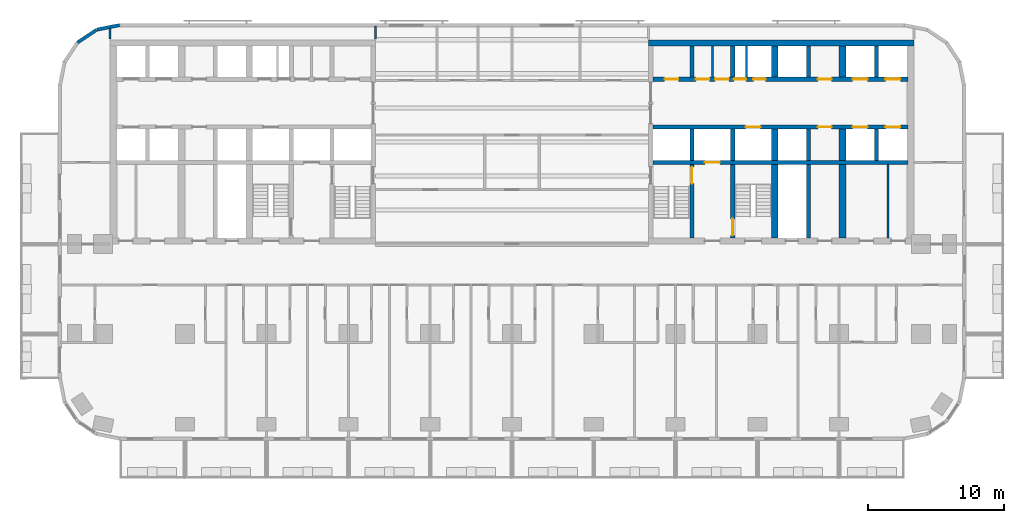
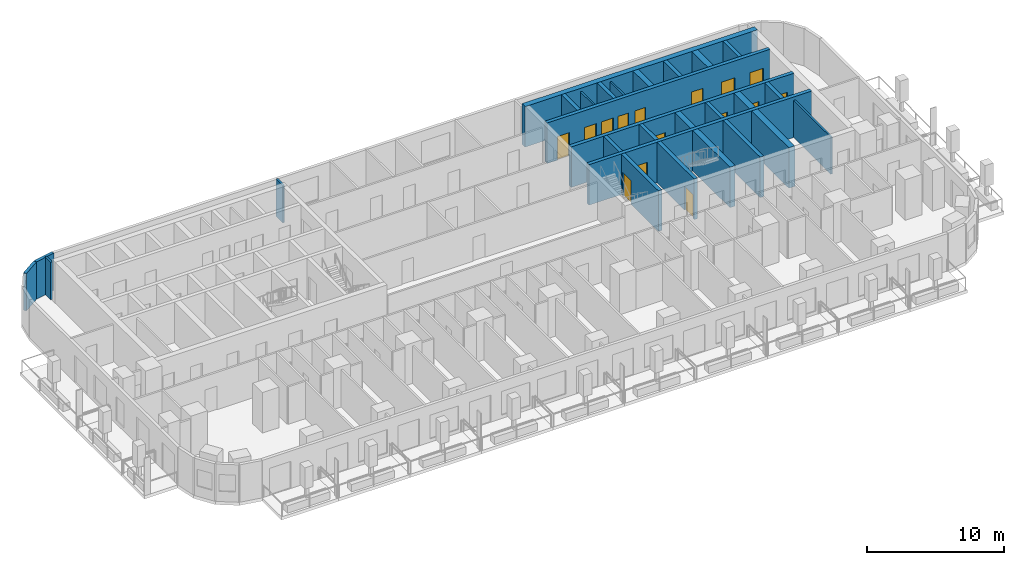
# One storey, part 7 of 14: 28 walls, 15 doors, 15 openings.
"""IFC4 building model written with IfcOpenShell, lengths in metres."""

from ifc_helpers import new_model, si_unit, direction, frame, frame_2d, origin, place, context, subcontext, project, spatial, rectangle, extrude, material, layer, layer_set, type_object, element, fill, save


model = new_model("IFC4")

# Units and contexts
model_context = context("Model", 3, precision=1e-05, world=origin(), true_north=direction((0.0, 1.0)))
body_context = subcontext(model_context, "Body", "Model", "MODEL_VIEW")
ifc_project = project(units=[si_unit("LENGTHUNIT", "METRE"), si_unit("AREAUNIT", "SQUARE_METRE"), si_unit("VOLUMEUNIT", "CUBIC_METRE"), si_unit("PLANEANGLEUNIT", "RADIAN"), si_unit("MASSUNIT", "GRAM", prefix="KILO")], contexts=[model_context])

# Site, building, storey
site_placement = place(None, origin())
site = spatial("IfcSite", under=ifc_project, at=site_placement, CompositionType="ELEMENT")
building_placement = place(site_placement, origin())
building = spatial("IfcBuilding", under=site, at=building_placement, Name="Torana Hotel and Residences", CompositionType="ELEMENT")
storey_placement = place(building_placement, frame((0.0, 0.0, 34.800048828125)))
storey = spatial("IfcBuildingStorey", under=building, at=storey_placement, Name="L07", CompositionType="ELEMENT", Elevation=34.800048828125)

# Wall, openings, doors
ifc_material_1 = material(Name="Concrete C80/95", Category="concrete")
ifc_layer_1 = layer(ifc_material_1, 0.300048828125)
ifc_layer_set_1 = layer_set([ifc_layer_1], Name="CORE WALL 300 C80/95")
wall_type_1 = type_object("IfcWallType", Name="CORE WALL 300 C80/95", PredefinedType="SHEAR", material=ifc_layer_set_1)
wall_1_placement = place(storey_placement, frame((10.35009765625, -2.89990234375, 0.0), z_axis=(0.0, 0.0, 1.0), x_axis=(1.0, 0.0, 0.0)))
wall_1 = element("IfcWall", 1, at=wall_1_placement, inside=storey, type_object=wall_type_1, Name="Core wall E row-N", PredefinedType="SHEAR", context=body_context, shape_type="SweptSolid", body=[
    extrude(rectangle(XDim=18.699951171875, YDim=0.300048828125, at=frame_2d((9.35009765625, 0.0))), origin(), (0.0, 0.0, 1.0), 3.599853515625),
])
opening_1_placement = place(wall_1_placement, frame((14.64990234375, 0.0, 0.0)))
opening_1 = element("IfcOpeningElement", 2, at=opening_1_placement, cuts=wall_1, Name="Opening LD", PredefinedType="OPENING", context=body_context, shape_type="SweptSolid", body=[
    extrude(rectangle(XDim=1.10009765625, YDim=2.10009765625, at=frame_2d((0.550048828125, 1.050048828125))), frame((0.0, 0.159912109375, 0.0), z_axis=(0.0, -1.0, 0.0), x_axis=(1.0, 0.0, 0.0)), (0.0, 0.0, 1.0), 0.320068359375),
])
opening_2_placement = place(wall_1_placement, frame((17.050048828125, 0.0, 0.0)))
opening_2 = element("IfcOpeningElement", 3, at=opening_2_placement, cuts=wall_1, Name="Opening LD", PredefinedType="OPENING", context=body_context, shape_type="SweptSolid", body=[
    extrude(rectangle(XDim=1.10009765625, YDim=2.10009765625, at=frame_2d((0.550048828125, 1.050048828125))), frame((0.0, 0.159912109375, 0.0), z_axis=(0.0, -1.0, 0.0), x_axis=(1.0, 0.0, 0.0)), (0.0, 0.0, 1.0), 0.320068359375),
])
opening_3_placement = place(wall_1_placement, frame((5.9375, 0.0, 0.0)))
opening_3 = element("IfcOpeningElement", 4, at=opening_3_placement, cuts=wall_1, Name="Opening L07-28", PredefinedType="OPENING", context=body_context, shape_type="SweptSolid", body=[
    extrude(rectangle(XDim=0.89990234375, YDim=2.10009765625, at=frame_2d((0.449951171875, 1.050048828125))), frame((0.0, 0.159912109375, 0.0), z_axis=(0.0, -1.0, 0.0), x_axis=(1.0, 0.0, 0.0)), (0.0, 0.0, 1.0), 0.320068359375),
])
opening_4_placement = place(wall_1_placement, frame((7.362548828125, 0.0, 0.0)))
opening_4 = element("IfcOpeningElement", 5, at=opening_4_placement, cuts=wall_1, Name="Opening L07-29", PredefinedType="OPENING", context=body_context, shape_type="SweptSolid", body=[
    extrude(rectangle(XDim=0.89990234375, YDim=2.10009765625, at=frame_2d((0.449951171875, 1.050048828125))), frame((0.0, 0.159912109375, 0.0), z_axis=(0.0, -1.0, 0.0), x_axis=(1.0, 0.0, 0.0)), (0.0, 0.0, 1.0), 0.320068359375),
])
opening_5_placement = place(wall_1_placement, frame((0.85009765625, 0.0, 0.0)))
opening_5 = element("IfcOpeningElement", 6, at=opening_5_placement, cuts=wall_1, Name="Opening L07-30", PredefinedType="OPENING", context=body_context, shape_type="SweptSolid", body=[
    extrude(rectangle(XDim=1.0, YDim=2.10009765625, at=frame_2d((0.5, 1.050048828125))), frame((0.0, 0.159912109375, 0.0), z_axis=(0.0, -1.0, 0.0), x_axis=(1.0, 0.0, 0.0)), (0.0, 0.0, 1.0), 0.320068359375),
])
opening_6_placement = place(wall_1_placement, frame((3.137451171875, 0.0, 0.0)))
opening_6 = element("IfcOpeningElement", 7, at=opening_6_placement, cuts=wall_1, Name="Opening L07-31", PredefinedType="OPENING", context=body_context, shape_type="SweptSolid", body=[
    extrude(rectangle(XDim=1.0, YDim=2.10009765625, at=frame_2d((0.5, 1.050048828125))), frame((0.0, 0.159912109375, 0.0), z_axis=(0.0, -1.0, 0.0), x_axis=(1.0, 0.0, 0.0)), (0.0, 0.0, 1.0), 0.320068359375),
])
opening_7_placement = place(wall_1_placement, frame((4.5625, 0.0, 0.0)))
opening_7 = element("IfcOpeningElement", 8, at=opening_7_placement, cuts=wall_1, Name="Opening L07-32", PredefinedType="OPENING", context=body_context, shape_type="SweptSolid", body=[
    extrude(rectangle(XDim=1.0, YDim=2.10009765625, at=frame_2d((0.5, 1.050048828125))), frame((0.0, 0.159912109375, 0.0), z_axis=(0.0, -1.0, 0.0), x_axis=(1.0, 0.0, 0.0)), (0.0, 0.0, 1.0), 0.320068359375),
])
opening_8_placement = place(wall_1_placement, frame((12.10009765625, 0.0, 0.0)))
opening_8 = element("IfcOpeningElement", 9, at=opening_8_placement, cuts=wall_1, Name="Opening L07-33", PredefinedType="OPENING", context=body_context, shape_type="SweptSolid", body=[
    extrude(rectangle(XDim=1.0, YDim=2.10009765625, at=frame_2d((0.5, 1.050048828125))), frame((0.0, 0.159912109375, 0.0), z_axis=(0.0, -1.0, 0.0), x_axis=(1.0, 0.0, 0.0)), (0.0, 0.0, 1.0), 0.320068359375),
])
ifc_material_2 = material(Name="Steel S235", Category="steel")
door_type_1 = type_object("IfcDoorType", Name="CORE ROOM FIRE DOOR D14 1000x2100", OperationType="SINGLE_SWING_LEFT", PredefinedType="DOOR", material=ifc_material_2)
door_1_placement = place(opening_5_placement, origin())
door_1 = element("IfcDoor", 10, at=door_1_placement, inside=storey, type_object=door_type_1, Name="N0 door L07", OperationType="SINGLE_SWING_RIGHT", OverallHeight=2.10009765625, OverallWidth=1.0, PredefinedType="DOOR", context=body_context, shape_type="SweptSolid", body=[
    extrude(rectangle(XDim=1.0, YDim=2.10009765625, at=frame_2d((0.5, 1.050048828125))), frame((0.0, 0.02490234375, 0.0), z_axis=(0.0, -1.0, 0.0), x_axis=(1.0, 0.0, 0.0)), (0.0, 0.0, 1.0), 0.050048828125),
])
fill(opening_5, door_1)
door_2_placement = place(opening_6_placement, origin())
door_2 = element("IfcDoor", 11, at=door_2_placement, inside=storey, type_object=door_type_1, Name="N1A door L07", OperationType="SINGLE_SWING_RIGHT", OverallHeight=2.10009765625, OverallWidth=1.0, PredefinedType="DOOR", context=body_context, shape_type="SweptSolid", body=[
    extrude(rectangle(XDim=1.0, YDim=2.10009765625, at=frame_2d((0.5, 1.050048828125))), frame((0.0, 0.02490234375, 0.0), z_axis=(0.0, -1.0, 0.0), x_axis=(1.0, 0.0, 0.0)), (0.0, 0.0, 1.0), 0.050048828125),
])
fill(opening_6, door_2)
door_3_placement = place(opening_7_placement, origin())
door_3 = element("IfcDoor", 12, at=door_3_placement, inside=storey, type_object=door_type_1, Name="N1B door L07", OperationType="SINGLE_SWING_RIGHT", OverallHeight=2.10009765625, OverallWidth=1.0, PredefinedType="DOOR", context=body_context, shape_type="SweptSolid", body=[
    extrude(rectangle(XDim=1.0, YDim=2.10009765625, at=frame_2d((0.5, 1.050048828125))), frame((0.0, 0.02490234375, 0.0), z_axis=(0.0, -1.0, 0.0), x_axis=(1.0, 0.0, 0.0)), (0.0, 0.0, 1.0), 0.050048828125),
])
fill(opening_7, door_3)
door_4_placement = place(opening_8_placement, origin())
door_4 = element("IfcDoor", 13, at=door_4_placement, inside=storey, type_object=door_type_1, Name="Free-M3 door L07", OperationType="SINGLE_SWING_RIGHT", OverallHeight=2.10009765625, OverallWidth=1.0, PredefinedType="DOOR", context=body_context, shape_type="SweptSolid", body=[
    extrude(rectangle(XDim=1.0, YDim=2.10009765625, at=frame_2d((0.5, 1.050048828125))), frame((0.0, 0.02490234375, 0.0), z_axis=(0.0, -1.0, 0.0), x_axis=(1.0, 0.0, 0.0)), (0.0, 0.0, 1.0), 0.050048828125),
])
fill(opening_8, door_4)
ifc_material_3 = material(Name="Stainless steel 316", Category="steel")
door_type_2 = type_object("IfcDoorType", Name="LIFT LANDING DOOR LD 1100x2100", OperationType="DOUBLE_DOOR_SLIDING", PredefinedType="USERDEFINED", material=ifc_material_3)
door_5_placement = place(opening_1_placement, origin())
door_5 = element("IfcDoor", 14, at=door_5_placement, inside=storey, type_object=door_type_2, Name="Lift landing door L5 L07", ObjectType="LIFT LANDING DOOR", OperationType="DOUBLE_DOOR_SLIDING", OverallHeight=2.10009765625, OverallWidth=1.10009765625, PredefinedType="USERDEFINED", context=body_context, shape_type="SweptSolid", body=[
    extrude(rectangle(XDim=1.10009765625, YDim=2.10009765625, at=frame_2d((0.550048828125, 1.050048828125))), frame((0.0, 0.02490234375, 0.0), z_axis=(0.0, -1.0, 0.0), x_axis=(1.0, 0.0, 0.0)), (0.0, 0.0, 1.0), 0.050048828125),
])
fill(opening_1, door_5)
door_6_placement = place(opening_2_placement, origin())
door_6 = element("IfcDoor", 15, at=door_6_placement, inside=storey, type_object=door_type_2, Name="Lift landing door L6 L07", ObjectType="LIFT LANDING DOOR", OperationType="DOUBLE_DOOR_SLIDING", OverallHeight=2.10009765625, OverallWidth=1.10009765625, PredefinedType="USERDEFINED", context=body_context, shape_type="SweptSolid", body=[
    extrude(rectangle(XDim=1.10009765625, YDim=2.10009765625, at=frame_2d((0.550048828125, 1.050048828125))), frame((0.0, 0.02490234375, 0.0), z_axis=(0.0, -1.0, 0.0), x_axis=(1.0, 0.0, 0.0)), (0.0, 0.0, 1.0), 0.050048828125),
])
fill(opening_2, door_6)
ifc_material_4 = material(Name="Steel S235", Category="steel")
door_type_3 = type_object("IfcDoorType", Name="RISER ACCESS DOOR D5 900x2100", OperationType="SINGLE_SWING_LEFT", PredefinedType="DOOR", material=ifc_material_4)
door_7_placement = place(opening_3_placement, origin())
door_7 = element("IfcDoor", 16, at=door_7_placement, inside=storey, type_object=door_type_3, Name="N2A door L07", OperationType="SINGLE_SWING_RIGHT", OverallHeight=2.10009765625, OverallWidth=0.89990234375, PredefinedType="DOOR", context=body_context, shape_type="SweptSolid", body=[
    extrude(rectangle(XDim=0.89990234375, YDim=2.10009765625, at=frame_2d((0.449951171875, 1.050048828125))), frame((0.0, 0.02490234375, 0.0), z_axis=(0.0, -1.0, 0.0), x_axis=(1.0, 0.0, 0.0)), (0.0, 0.0, 1.0), 0.050048828125),
])
fill(opening_3, door_7)
door_8_placement = place(opening_4_placement, origin())
door_8 = element("IfcDoor", 17, at=door_8_placement, inside=storey, type_object=door_type_3, Name="N2B door L07", OperationType="SINGLE_SWING_RIGHT", OverallHeight=2.10009765625, OverallWidth=0.89990234375, PredefinedType="DOOR", context=body_context, shape_type="SweptSolid", body=[
    extrude(rectangle(XDim=0.89990234375, YDim=2.10009765625, at=frame_2d((0.449951171875, 1.050048828125))), frame((0.0, 0.02490234375, 0.0), z_axis=(0.0, -1.0, 0.0), x_axis=(1.0, 0.0, 0.0)), (0.0, 0.0, 1.0), 0.050048828125),
])
fill(opening_4, door_8)

wall_2_placement = place(storey_placement, frame((10.35009765625, -6.39990234375, 0.0), z_axis=(0.0, 0.0, 1.0), x_axis=(1.0, 0.0, 0.0)))
wall_2 = element("IfcWall", 18, at=wall_2_placement, inside=storey, type_object=wall_type_1, Name="Core wall E row-S", PredefinedType="SHEAR", context=body_context, shape_type="SweptSolid", body=[
    extrude(rectangle(XDim=18.699951171875, YDim=0.300048828125, at=frame_2d((9.35009765625, 0.0))), origin(), (0.0, 0.0, 1.0), 3.599853515625),
])
opening_9_placement = place(wall_2_placement, frame((14.64990234375, 0.0, 0.0)))
opening_9 = element("IfcOpeningElement", 19, at=opening_9_placement, cuts=wall_2, Name="Opening LD", PredefinedType="OPENING", context=body_context, shape_type="SweptSolid", body=[
    extrude(rectangle(XDim=1.10009765625, YDim=2.10009765625, at=frame_2d((0.550048828125, 1.050048828125))), frame((0.0, 0.159912109375, 0.0), z_axis=(0.0, -1.0, 0.0), x_axis=(1.0, 0.0, 0.0)), (0.0, 0.0, 1.0), 0.320068359375),
])
opening_10_placement = place(wall_2_placement, frame((17.050048828125, 0.0, 0.0)))
opening_10 = element("IfcOpeningElement", 20, at=opening_10_placement, cuts=wall_2, Name="Opening LD", PredefinedType="OPENING", context=body_context, shape_type="SweptSolid", body=[
    extrude(rectangle(XDim=1.10009765625, YDim=2.10009765625, at=frame_2d((0.550048828125, 1.050048828125))), frame((0.0, 0.159912109375, 0.0), z_axis=(0.0, -1.0, 0.0), x_axis=(1.0, 0.0, 0.0)), (0.0, 0.0, 1.0), 0.320068359375),
])
opening_11_placement = place(wall_2_placement, frame((6.800048828125, 0.0, 0.0)))
opening_11 = element("IfcOpeningElement", 21, at=opening_11_placement, cuts=wall_2, Name="Opening LD", PredefinedType="OPENING", context=body_context, shape_type="SweptSolid", body=[
    extrude(rectangle(XDim=1.10009765625, YDim=2.10009765625, at=frame_2d((0.550048828125, 1.050048828125))), frame((0.0, 0.159912109375, 0.0), z_axis=(0.0, -1.0, 0.0), x_axis=(1.0, 0.0, 0.0)), (0.0, 0.0, 1.0), 0.320068359375),
])
opening_12_placement = place(wall_2_placement, frame((12.10009765625, 0.0, 0.0)))
opening_12 = element("IfcOpeningElement", 22, at=opening_12_placement, cuts=wall_2, Name="Opening L07-34", PredefinedType="OPENING", context=body_context, shape_type="SweptSolid", body=[
    extrude(rectangle(XDim=1.0, YDim=2.10009765625, at=frame_2d((0.5, 1.050048828125))), frame((0.0, 0.159912109375, 0.0), z_axis=(0.0, -1.0, 0.0), x_axis=(1.0, 0.0, 0.0)), (0.0, 0.0, 1.0), 0.320068359375),
])
door_9_placement = place(opening_12_placement, frame((0.5, 0.0, 0.0), z_axis=(0.0, 0.0, 1.0), x_axis=(-1.0, 0.0, 0.0)))
door_9 = element("IfcDoor", 23, at=door_9_placement, inside=storey, type_object=door_type_1, Name="Free-M4 door L07", OperationType="SINGLE_SWING_LEFT", OverallHeight=2.10009765625, OverallWidth=1.0, PredefinedType="DOOR", context=body_context, shape_type="SweptSolid", body=[
    extrude(rectangle(XDim=1.0, YDim=2.10009765625, at=frame_2d((0.0, 1.050048828125))), frame((0.0, -0.02490234375, 0.0), z_axis=(0.0, 1.0, 0.0), x_axis=(-1.0, 0.0, 0.0)), (0.0, 0.0, 1.0), 0.050048828125),
])
fill(opening_12, door_9)
door_10_placement = place(opening_9_placement, origin())
door_10 = element("IfcDoor", 24, at=door_10_placement, inside=storey, type_object=door_type_2, Name="Lift landing door L7 L07", ObjectType="LIFT LANDING DOOR", OperationType="DOUBLE_DOOR_SLIDING", OverallHeight=2.10009765625, OverallWidth=1.10009765625, PredefinedType="USERDEFINED", context=body_context, shape_type="SweptSolid", body=[
    extrude(rectangle(XDim=1.10009765625, YDim=2.10009765625, at=frame_2d((0.550048828125, 1.050048828125))), frame((0.0, 0.02490234375, 0.0), z_axis=(0.0, -1.0, 0.0), x_axis=(1.0, 0.0, 0.0)), (0.0, 0.0, 1.0), 0.050048828125),
])
fill(opening_9, door_10)
door_11_placement = place(opening_10_placement, origin())
door_11 = element("IfcDoor", 25, at=door_11_placement, inside=storey, type_object=door_type_2, Name="Lift landing door L8 L07", ObjectType="LIFT LANDING DOOR", OperationType="DOUBLE_DOOR_SLIDING", OverallHeight=2.10009765625, OverallWidth=1.10009765625, PredefinedType="USERDEFINED", context=body_context, shape_type="SweptSolid", body=[
    extrude(rectangle(XDim=1.10009765625, YDim=2.10009765625, at=frame_2d((0.550048828125, 1.050048828125))), frame((0.0, 0.02490234375, 0.0), z_axis=(0.0, -1.0, 0.0), x_axis=(1.0, 0.0, 0.0)), (0.0, 0.0, 1.0), 0.050048828125),
])
fill(opening_10, door_11)
door_12_placement = place(opening_11_placement, origin())
door_12 = element("IfcDoor", 26, at=door_12_placement, inside=storey, type_object=door_type_2, Name="Lift landing door SV2 L07", ObjectType="LIFT LANDING DOOR", OperationType="DOUBLE_DOOR_SLIDING", OverallHeight=2.10009765625, OverallWidth=1.10009765625, PredefinedType="USERDEFINED", context=body_context, shape_type="SweptSolid", body=[
    extrude(rectangle(XDim=1.10009765625, YDim=2.10009765625, at=frame_2d((0.550048828125, 1.050048828125))), frame((0.0, 0.02490234375, 0.0), z_axis=(0.0, -1.0, 0.0), x_axis=(1.0, 0.0, 0.0)), (0.0, 0.0, 1.0), 0.050048828125),
])
fill(opening_11, door_12)

# Wall, opening, door
wall_3_placement = place(storey_placement, frame((10.35009765625, -9.0, 0.0), z_axis=(0.0, 0.0, 1.0), x_axis=(1.0, 0.0, 0.0)))
wall_3 = element("IfcWall", 27, at=wall_3_placement, inside=storey, type_object=wall_type_1, Name="Core wall E band", PredefinedType="SHEAR", context=body_context, shape_type="SweptSolid", body=[
    extrude(rectangle(XDim=18.699951171875, YDim=0.300048828125, at=frame_2d((9.35009765625, 0.0))), origin(), (0.0, 0.0, 1.0), 3.599853515625),
])
opening_13_placement = place(wall_3_placement, frame((3.800048828125, 0.0, 0.0)))
opening_13 = element("IfcOpeningElement", 28, at=opening_13_placement, cuts=wall_3, Name="Opening LD", PredefinedType="OPENING", context=body_context, shape_type="SweptSolid", body=[
    extrude(rectangle(XDim=1.10009765625, YDim=2.10009765625, at=frame_2d((0.550048828125, 1.050048828125))), frame((0.0, 0.159912109375, 0.0), z_axis=(0.0, -1.0, 0.0), x_axis=(1.0, 0.0, 0.0)), (0.0, 0.0, 1.0), 0.320068359375),
])
door_13_placement = place(opening_13_placement, origin())
door_13 = element("IfcDoor", 29, at=door_13_placement, inside=storey, type_object=door_type_2, Name="Lift landing door FF2 L07", ObjectType="LIFT LANDING DOOR", OperationType="DOUBLE_DOOR_SLIDING", OverallHeight=2.10009765625, OverallWidth=1.10009765625, PredefinedType="USERDEFINED", context=body_context, shape_type="SweptSolid", body=[
    extrude(rectangle(XDim=1.10009765625, YDim=2.10009765625, at=frame_2d((0.550048828125, 1.050048828125))), frame((0.0, 0.02490234375, 0.0), z_axis=(0.0, -1.0, 0.0), x_axis=(1.0, 0.0, 0.0)), (0.0, 0.0, 1.0), 0.050048828125),
])
fill(opening_13, door_13)

# Walls
for number, where, z_axis, x_axis, name in (
    (30, (13.199951171875, -2.75, 0.0), (0.0, 0.0, 1.0), (0.0, 1.0, 0.0), "Core wall E x3.05-N"),
    (31, (13.199951171875, -8.85009765625, 0.0), (0.0, 0.0, 1.0), (0.0, 1.0, 0.0), "Core wall E x3.05-S"),
):
    element("IfcWall", number, at=place(storey_placement, frame(where, z_axis=z_axis, x_axis=x_axis)), inside=storey, type_object=wall_type_1, Name=name, PredefinedType="SHEAR", context=body_context, shape_type="SweptSolid", body=[
        extrude(rectangle(XDim=2.300048828125, YDim=0.300048828125, at=frame_2d((1.14990234375, 0.0))), origin(), (0.0, 0.0, 1.0), 3.599853515625),
    ])

# Wall, opening, door
wall_4_placement = place(storey_placement, frame((13.199951171875, -14.550048828125, 0.0), z_axis=(0.0, 0.0, 1.0), x_axis=(0.0, 1.0, 0.0)))
wall_4 = element("IfcWall", 32, at=wall_4_placement, inside=storey, type_object=wall_type_1, Name="Core wall E x3.05-band", PredefinedType="SHEAR", context=body_context, shape_type="SweptSolid", body=[
    extrude(rectangle(XDim=5.400146484375, YDim=0.300048828125, at=frame_2d((2.7001953125, 0.0))), origin(), (0.0, 0.0, 1.0), 3.599853515625),
])
opening_14_placement = place(wall_4_placement, frame((4.0, 0.0, 0.0)))
opening_14 = element("IfcOpeningElement", 33, at=opening_14_placement, cuts=wall_4, Name="Opening L07-35", PredefinedType="OPENING", context=body_context, shape_type="SweptSolid", body=[
    extrude(rectangle(XDim=1.199951171875, YDim=2.10009765625, at=frame_2d((0.60009765625, 1.050048828125))), frame((0.0, 0.159912109375, 0.0), z_axis=(0.0, -1.0, 0.0), x_axis=(1.0, 0.0, 0.0)), (0.0, 0.0, 1.0), 0.320068359375),
])
ifc_material_5 = material(Name="Steel S235", Category="steel")
door_type_4 = type_object("IfcDoorType", Name="STAIR FIRE DOOR D3 1200x2100", OperationType="SINGLE_SWING_LEFT", PredefinedType="DOOR", material=ifc_material_5)
door_14_placement = place(opening_14_placement, origin())
door_14 = element("IfcDoor", 34, at=door_14_placement, inside=storey, type_object=door_type_4, Name="Stair-A-lobby door L07", OperationType="SINGLE_SWING_LEFT", OverallHeight=2.10009765625, OverallWidth=1.199951171875, PredefinedType="DOOR", context=body_context, shape_type="SweptSolid", body=[
    extrude(rectangle(XDim=1.199951171875, YDim=2.10009765625, at=frame_2d((0.60009765625, 1.050048828125))), frame((0.0, 0.02490234375, 0.0), z_axis=(0.0, -1.0, 0.0), x_axis=(1.0, 0.0, 0.0)), (0.0, 0.0, 1.0), 0.050048828125),
])
fill(opening_14, door_14)

# Walls
for number, where, z_axis, x_axis, name in (
    (35, (16.199951171875, -2.75, 0.0), (0.0, 0.0, 1.0), (0.0, 1.0, 0.0), "Core wall E x6.05-N"),
    (36, (16.199951171875, -8.85009765625, 0.0), (0.0, 0.0, 1.0), (0.0, 1.0, 0.0), "Core wall E x6.05-S"),
):
    element("IfcWall", number, at=place(storey_placement, frame(where, z_axis=z_axis, x_axis=x_axis)), inside=storey, type_object=wall_type_1, Name=name, PredefinedType="SHEAR", context=body_context, shape_type="SweptSolid", body=[
        extrude(rectangle(XDim=2.300048828125, YDim=0.300048828125, at=frame_2d((1.14990234375, 0.0))), origin(), (0.0, 0.0, 1.0), 3.599853515625),
    ])

# Wall, opening, door
wall_5_placement = place(storey_placement, frame((16.199951171875, -14.550048828125, 0.0), z_axis=(0.0, 0.0, 1.0), x_axis=(0.0, 1.0, 0.0)))
wall_5 = element("IfcWall", 37, at=wall_5_placement, inside=storey, type_object=wall_type_1, Name="Core wall E x6.05-band", PredefinedType="SHEAR", context=body_context, shape_type="SweptSolid", body=[
    extrude(rectangle(XDim=5.400146484375, YDim=0.300048828125, at=frame_2d((2.7001953125, 0.0))), origin(), (0.0, 0.0, 1.0), 3.599853515625),
])
opening_15_placement = place(wall_5_placement, frame((0.199951171875, 0.0, 0.0)))
opening_15 = element("IfcOpeningElement", 38, at=opening_15_placement, cuts=wall_5, Name="Opening L07-36", PredefinedType="OPENING", context=body_context, shape_type="SweptSolid", body=[
    extrude(rectangle(XDim=1.199951171875, YDim=2.10009765625, at=frame_2d((0.60009765625, 1.050048828125))), frame((0.0, 0.159912109375, 0.0), z_axis=(0.0, -1.0, 0.0), x_axis=(1.0, 0.0, 0.0)), (0.0, 0.0, 1.0), 0.320068359375),
])
door_15_placement = place(opening_15_placement, frame((0.60009765625, 0.0, 0.0), z_axis=(0.0, 0.0, 1.0), x_axis=(-1.0, 0.0, 0.0)))
door_15 = element("IfcDoor", 39, at=door_15_placement, inside=storey, type_object=door_type_4, Name="Stair-B-lobby door L07", OperationType="SINGLE_SWING_LEFT", OverallHeight=2.10009765625, OverallWidth=1.199951171875, PredefinedType="DOOR", context=body_context, shape_type="SweptSolid", body=[
    extrude(rectangle(XDim=1.199951171875, YDim=2.10009765625, at=frame_2d((0.0, 1.050048828125))), frame((0.0, -0.02490234375, 0.0), z_axis=(0.0, 1.0, 0.0), x_axis=(-1.0, 0.0, 0.0)), (0.0, 0.0, 1.0), 0.050048828125),
])
fill(opening_15, door_15)

# Walls
for number, where, z_axis, x_axis, name in (
    (40, (21.75, -2.75, 0.0), (0.0, 0.0, 1.0), (0.0, 1.0, 0.0), "Core wall E mm-N"),
    (41, (21.75, -8.85009765625, 0.0), (0.0, 0.0, 1.0), (0.0, 1.0, 0.0), "Core wall E mm-S"),
):
    element("IfcWall", number, at=place(storey_placement, frame(where, z_axis=z_axis, x_axis=x_axis)), inside=storey, type_object=wall_type_1, Name=name, PredefinedType="SHEAR", context=body_context, shape_type="SweptSolid", body=[
        extrude(rectangle(XDim=2.300048828125, YDim=0.300048828125, at=frame_2d((1.14990234375, 0.0))), origin(), (0.0, 0.0, 1.0), 3.599853515625),
    ])
wall_6_placement = place(storey_placement, frame((21.75, -14.550048828125, 0.0), z_axis=(0.0, 0.0, 1.0), x_axis=(0.0, 1.0, 0.0)))
element("IfcWall", 42, at=wall_6_placement, inside=storey, type_object=wall_type_1, Name="Core wall E mm-band", PredefinedType="SHEAR", context=body_context, shape_type="SweptSolid", body=[
    extrude(rectangle(XDim=5.400146484375, YDim=0.300048828125, at=frame_2d((2.7001953125, 0.0))), origin(), (0.0, 0.0, 1.0), 3.599853515625),
])
for number, where, z_axis, x_axis, name in (
    (43, (26.75, -2.75, 0.0), (0.0, 0.0, 1.0), (0.0, 1.0, 0.0), "Core wall E ll-N"),
    (44, (26.75, -8.85009765625, 0.0), (0.0, 0.0, 1.0), (0.0, 1.0, 0.0), "Core wall E ll-S"),
):
    element("IfcWall", number, at=place(storey_placement, frame(where, z_axis=z_axis, x_axis=x_axis)), inside=storey, type_object=wall_type_1, Name=name, PredefinedType="SHEAR", context=body_context, shape_type="SweptSolid", body=[
        extrude(rectangle(XDim=2.300048828125, YDim=0.300048828125, at=frame_2d((1.14990234375, 0.0))), origin(), (0.0, 0.0, 1.0), 3.599853515625),
    ])
ifc_material_6 = material(Name="Concrete C80/95", Category="concrete")
ifc_layer_2 = layer(ifc_material_6, 0.449951171875)
ifc_layer_set_2 = layer_set([ifc_layer_2], Name="CORE WALL 450 C80/95")
wall_type_2 = type_object("IfcWallType", Name="CORE WALL 450 C80/95", PredefinedType="SHEAR", material=ifc_layer_set_2)
wall_7_placement = place(storey_placement, frame((10.0, -0.22509765625, 0.0), z_axis=(0.0, 0.0, 1.0), x_axis=(1.0, 0.0, 0.0)))
element("IfcWall", 45, at=wall_7_placement, inside=storey, type_object=wall_type_2, Name="Core wall E rear", PredefinedType="SHEAR", context=body_context, shape_type="SweptSolid", body=[
    extrude(rectangle(XDim=19.5, YDim=0.449951171875, at=frame_2d((9.75, 0.0))), origin(), (0.0, 0.0, 1.0), 3.599853515625),
])
for number, where, z_axis, x_axis, name in (
    (46, (19.27490234375, -2.75, 0.0), (0.0, 0.0, 1.0), (0.0, 1.0, 0.0), "Core wall E hm-N"),
    (47, (19.27490234375, -8.85009765625, 0.0), (0.0, 0.0, 1.0), (0.0, 1.0, 0.0), "Core wall E hm-S"),
):
    element("IfcWall", number, at=place(storey_placement, frame(where, z_axis=z_axis, x_axis=x_axis)), inside=storey, type_object=wall_type_2, Name=name, PredefinedType="SHEAR", context=body_context, shape_type="SweptSolid", body=[
        extrude(rectangle(XDim=2.300048828125, YDim=0.449951171875, at=frame_2d((1.14990234375, 0.0))), origin(), (0.0, 0.0, 1.0), 3.599853515625),
    ])
wall_8_placement = place(storey_placement, frame((19.27490234375, -14.550048828125, 0.0), z_axis=(0.0, 0.0, 1.0), x_axis=(0.0, 1.0, 0.0)))
element("IfcWall", 48, at=wall_8_placement, inside=storey, type_object=wall_type_2, Name="Core wall E hm-band", PredefinedType="SHEAR", context=body_context, shape_type="SweptSolid", body=[
    extrude(rectangle(XDim=5.400146484375, YDim=0.449951171875, at=frame_2d((2.7001953125, 0.0))), origin(), (0.0, 0.0, 1.0), 3.599853515625),
])
ifc_material_7 = material(Name="Concrete C80/95", Category="concrete")
ifc_layer_3 = layer(ifc_material_7, 0.5)
ifc_layer_set_3 = layer_set([ifc_layer_3], Name="CORE WALL 500 C80/95")
wall_type_3 = type_object("IfcWallType", Name="CORE WALL 500 C80/95", PredefinedType="SHEAR", material=ifc_layer_set_3)
for number, where, z_axis, x_axis, name in (
    (49, (24.25, -2.75, 0.0), (0.0, 0.0, 1.0), (0.0, 1.0, 0.0), "Core wall E ml-N"),
    (50, (24.25, -8.85009765625, 0.0), (0.0, 0.0, 1.0), (0.0, 1.0, 0.0), "Core wall E ml-S"),
):
    element("IfcWall", number, at=place(storey_placement, frame(where, z_axis=z_axis, x_axis=x_axis)), inside=storey, type_object=wall_type_3, Name=name, PredefinedType="SHEAR", context=body_context, shape_type="SweptSolid", body=[
        extrude(rectangle(XDim=2.300048828125, YDim=0.5, at=frame_2d((1.14990234375, 0.0))), origin(), (0.0, 0.0, 1.0), 3.599853515625),
    ])
wall_9_placement = place(storey_placement, frame((24.25, -14.550048828125, 0.0), z_axis=(0.0, 0.0, 1.0), x_axis=(0.0, 1.0, 0.0)))
element("IfcWall", 51, at=wall_9_placement, inside=storey, type_object=wall_type_3, Name="Core wall E ml-band", PredefinedType="SHEAR", context=body_context, shape_type="SweptSolid", body=[
    extrude(rectangle(XDim=5.400146484375, YDim=0.5, at=frame_2d((2.7001953125, 0.0))), origin(), (0.0, 0.0, 1.0), 3.599853515625),
])
ifc_material_8 = material(Name="Black aluminium composite panel", Category="aluminium")
ifc_layer_4 = layer(ifc_material_8, 0.00390625, Name="Cladding", Category="cladding")
ifc_material_9 = material(Name="Ventilated air cavity")
ifc_layer_5 = layer(ifc_material_9, 0.0400390625, Name="Ventilated cavity", Category="cavity")
ifc_material_10 = material(Name="Mineral wool insulation")
ifc_layer_6 = layer(ifc_material_10, 0.090087890625, Name="Insulation", Category="insulation")
ifc_material_11 = material(Name="Steel S280GD", Category="steel")
ifc_layer_7 = layer(ifc_material_11, 0.092041015625, Name="Steel stud frame", Category="structure")
ifc_material_12 = material(Name="Fire rated plasterboard")
ifc_layer_8 = layer(ifc_material_12, 0.011962890625, Name="Inner board", Category="finish")
ifc_layer_9 = layer(ifc_material_12, 0.011962890625, Name="Second board", Category="finish")
ifc_layer_set_4 = layer_set([ifc_layer_4, ifc_layer_5, ifc_layer_6, ifc_layer_7, ifc_layer_8, ifc_layer_9], Name="EW1 EXTERNAL WALL BLACK METAL CLAD 250")
wall_type_4 = type_object("IfcWallType", Name="EW1 EXTERNAL WALL BLACK METAL CLAD 250", PredefinedType="SOLIDWALL", material=ifc_layer_set_4)
wall_10_placement = place(storey_placement, frame((-28.7998046875, 1.072509765625, 0.0), z_axis=(0.0, 0.0, 1.0), x_axis=(-0.980803419081, -0.194999110559, 0.0)))
element("IfcWall", 52, at=wall_10_placement, inside=storey, type_object=wall_type_4, Name="External wall L07 e0.5", PredefinedType="SOLIDWALL", context=body_context, shape_type="SweptSolid", body=[
    extrude(rectangle(XDim=1.681396484375, YDim=0.25, at=frame_2d((0.8408203125, 0.0))), origin(), (0.0, 0.0, 1.0), 3.320068359375),
])
wall_11_placement = place(storey_placement, frame((-30.493896484375, 0.725830078125, 0.0), z_axis=(0.0, 0.0, 1.0), x_axis=(-0.831482937015, -0.55555029066, 0.0)))
element("IfcWall", 53, at=wall_11_placement, inside=storey, type_object=wall_type_4, Name="External wall L07 e0.6", PredefinedType="SOLIDWALL", context=body_context, shape_type="SweptSolid", body=[
    extrude(rectangle(XDim=1.65625, YDim=0.25, at=frame_2d((0.828125, 0.0))), origin(), (0.0, 0.0, 1.0), 3.320068359375),
])
ifc_material_13 = material(Name="Gypsum plaster")
ifc_layer_10 = layer(ifc_material_13, 0.014892578125, Name="Plaster", Category="finish")
ifc_material_14 = material(Name="Concrete blockwork", Category="masonry")
ifc_layer_11 = layer(ifc_material_14, 0.1201171875, Name="Blockwork", Category="structure")
ifc_layer_12 = layer(ifc_material_13, 0.014892578125, Name="Plaster", Category="finish")
ifc_layer_set_5 = layer_set([ifc_layer_10, ifc_layer_11, ifc_layer_12], Name="FIRE PARTITION 150 BLOCKWORK")
wall_type_5 = type_object("IfcWallType", Name="FIRE PARTITION 150 BLOCKWORK", PredefinedType="PARTITIONING", material=ifc_layer_set_5)
for number, where, z_axis, x_axis, name in (
    (54, (17.199951171875, -2.75, 0.0), (0.0, 0.0, 1.0), (0.0, 1.0, 0.0), "Core partition L07"),
    (55, (14.699951171875, -2.75, 0.0), (0.0, 0.0, 1.0), (0.0, 1.0, 0.0), "Core partition L07"),
):
    element("IfcWall", number, at=place(storey_placement, frame(where, z_axis=z_axis, x_axis=x_axis)), inside=storey, type_object=wall_type_5, Name=name, PredefinedType="PARTITIONING", context=body_context, shape_type="SweptSolid", body=[
        extrude(rectangle(XDim=2.300048828125, YDim=0.14990234375, at=frame_2d((1.14990234375, 0.0))), origin(), (0.0, 0.0, 1.0), 3.300048828125),
    ])
wall_12_placement = place(storey_placement, frame((27.60009765625, -14.550048828125, 0.0), z_axis=(0.0, 0.0, 1.0), x_axis=(0.0, 1.0, 0.0)))
element("IfcWall", 56, at=wall_12_placement, inside=storey, type_object=wall_type_5, Name="Core partition L07", PredefinedType="PARTITIONING", context=body_context, shape_type="SweptSolid", body=[
    extrude(rectangle(XDim=5.400146484375, YDim=0.14990234375, at=frame_2d((2.7001953125, 0.0))), origin(), (0.0, 0.0, 1.0), 3.300048828125),
])
ifc_material_15 = material(Name="Gypsum plasterboard")
ifc_layer_13 = layer(ifc_material_15, 0.012451171875, Name="Plasterboard", Category="finish")
ifc_layer_14 = layer(ifc_material_15, 0.012451171875, Name="Plasterboard", Category="finish")
ifc_layer_15 = layer(ifc_material_11, 0.10009765625, Name="Steel studs with mineral wool", Category="insulation")
ifc_layer_16 = layer(ifc_material_15, 0.012451171875, Name="Plasterboard", Category="finish")
ifc_layer_17 = layer(ifc_material_15, 0.012451171875, Name="Plasterboard", Category="finish")
ifc_layer_set_6 = layer_set([ifc_layer_13, ifc_layer_14, ifc_layer_15, ifc_layer_16, ifc_layer_17], Name="PARTITION 150 PLASTERBOARD")
wall_type_6 = type_object("IfcWallType", Name="PARTITION 150 PLASTERBOARD", PredefinedType="PARTITIONING", material=ifc_layer_set_6)
wall_13_placement = place(storey_placement, frame((-10.0, 0.050048828125, 0.0), z_axis=(0.0, 0.0, 1.0), x_axis=(0.0, 1.0, 0.0)))
element("IfcWall", 57, at=wall_13_placement, inside=storey, type_object=wall_type_6, Name="Partition L07", PredefinedType="PARTITIONING", context=body_context, shape_type="SweptSolid", body=[
    extrude(rectangle(XDim=0.969970703125, YDim=0.14990234375, at=frame_2d((0.48486328125, 0.0))), origin(), (0.0, 0.0, 1.0), 3.320068359375),
])
wall_14_placement = place(storey_placement, frame((-29.5, 0.050048828125, 0.0), z_axis=(0.0, 0.0, 1.0), x_axis=(0.0, 1.0, 0.0)))
element("IfcWall", 58, at=wall_14_placement, inside=storey, type_object=wall_type_6, Name="Partition L07", PredefinedType="PARTITIONING", context=body_context, shape_type="SweptSolid", body=[
    extrude(rectangle(XDim=0.8271484375, YDim=0.14990234375, at=frame_2d((0.41357421875, 0.0))), origin(), (0.0, 0.0, 1.0), 3.320068359375),
])

save(model, "model.ifc")
